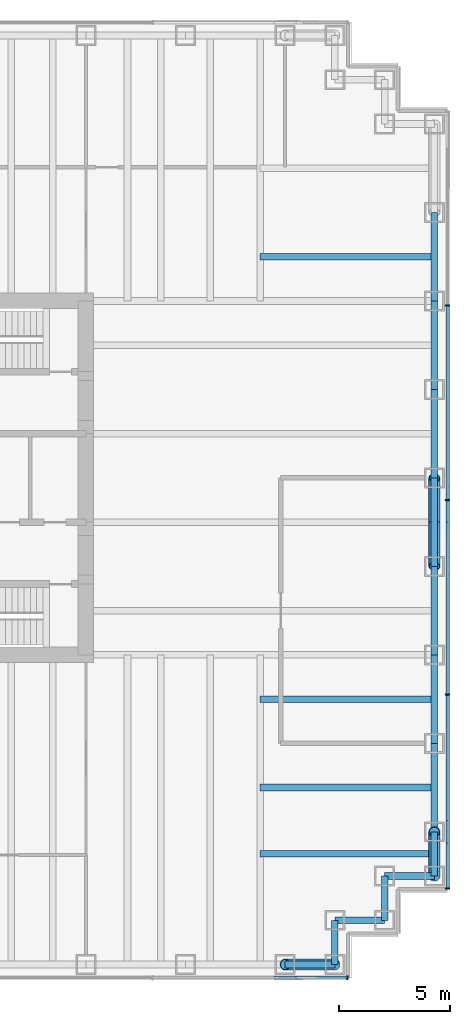
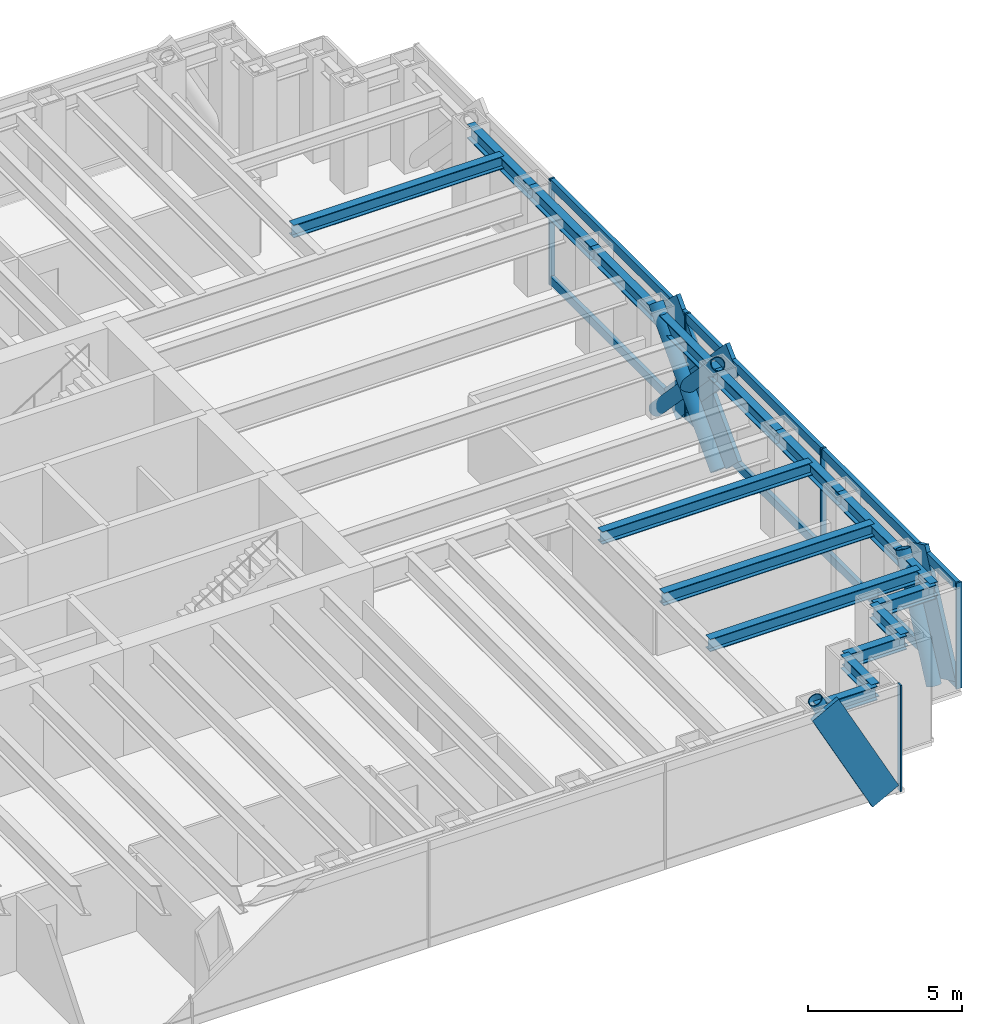
# One storey, part 8 of 15: 19 members, 17 beams, 2 elements without a shape of their own.
"""IFC4 building model written with IfcOpenShell, lengths in metres."""

from ifc_helpers import new_model, si_unit, direction, frame, origin, origin_2d, place, context, subcontext, project, spatial, rectangle, hollow_circle, i_section, extrude, material, material_profile, profile_set, type_object, element, aggregate, save


model = new_model("IFC4")

# Units and contexts
model_context = context("Model", 3, precision=1e-05, world=origin(), true_north=direction((0.0, 1.0)))
body_context = subcontext(model_context, "Body", "Model", "MODEL_VIEW")
ifc_project = project(units=[si_unit("LENGTHUNIT", "METRE"), si_unit("AREAUNIT", "SQUARE_METRE"), si_unit("VOLUMEUNIT", "CUBIC_METRE"), si_unit("PLANEANGLEUNIT", "RADIAN"), si_unit("MASSUNIT", "GRAM", prefix="KILO")], contexts=[model_context])

# Site, building, storey
site_placement = place(None, origin())
site = spatial("IfcSite", under=ifc_project, at=site_placement, CompositionType="ELEMENT")
building_placement = place(site_placement, origin())
building = spatial("IfcBuilding", under=site, at=building_placement, Name="Rheinbord Bourse Tower", CompositionType="ELEMENT")
storey_placement = place(building_placement, frame((0.0, 0.0, 275.300048828125)))
storey = spatial("IfcBuildingStorey", under=building, at=storey_placement, Name="L62", CompositionType="ELEMENT", Elevation=275.300048828125)

# Curtain wall, member
ifc_material_1 = material(Name="Dark glass and black aluminium", Category="aluminium")
curtain_wall_type = type_object("IfcCurtainWallType", Name="CW3 DARK GLASS CURTAIN WALL", PredefinedType="USERDEFINED", material=ifc_material_1)
curtain_wall_1_placement = place(storey_placement, origin())
curtain_wall_1 = element("IfcCurtainWall", 1, at=curtain_wall_1_placement, inside=storey, type_object=curtain_wall_type, Name="Curtain wall CW3 S L62", ObjectType="UNITISED CURTAIN WALL", PredefinedType="USERDEFINED")
ifc_material_2 = material(Name="Black anodised aluminium", Category="aluminium")
ifc_material_profile_1 = material_profile(ifc_material_2, rectangle(XDim=0.14990234375, YDim=1.10791015625, at=origin_2d()), Name="CW3 DIAGONAL MULLION 1108x150")
ifc_profile_set_1 = profile_set([ifc_material_profile_1], Name="Black anodised aluminium")
member_type_1 = type_object("IfcMemberType", Name="CW3 BLACK DIAGONAL MULLION", PredefinedType="USERDEFINED", material=ifc_profile_set_1)
member_1_placement = place(storey_placement, frame((65.25, 1.39990234375, 0.0), z_axis=(-0.472225678258, 0.0, 0.881477684796), x_axis=(0.0, -1.0, 0.0)))
member_1 = element("IfcMember", 2, at=member_1_placement, type_object=member_type_1, Name="CW3 diagonal mullion c", ObjectType="DIAGONAL MULLION", PredefinedType="USERDEFINED", context=body_context, shape_type="SweptSolid", body=[
    extrude(rectangle(XDim=0.14990234375, YDim=1.10791015625, at=origin_2d()), origin(), (0.0, 0.0, 1.0), 4.7646484375),
])

# Curtain wall, members
curtain_wall_2_placement = place(storey_placement, origin())
curtain_wall_2 = element("IfcCurtainWall", 3, at=curtain_wall_2_placement, inside=storey, type_object=curtain_wall_type, Name="Curtain wall CW3 E L62", ObjectType="UNITISED CURTAIN WALL", PredefinedType="USERDEFINED")
member_2_placement = place(storey_placement, frame((70.35009765625, 6.0, 0.0), z_axis=(0.0, 0.429937654825, 0.902858578607), x_axis=(-1.0, 0.0, 0.0)))
member_2 = element("IfcMember", 4, at=member_2_placement, type_object=member_type_1, Name="CW3 diagonal mullion b", ObjectType="DIAGONAL MULLION", PredefinedType="USERDEFINED", context=body_context, shape_type="SweptSolid", body=[
    extrude(rectangle(XDim=0.14990234375, YDim=1.10791015625, at=origin_2d()), origin(), (0.0, 0.0, 1.0), 4.65185546875),
])
member_3_placement = place(storey_placement, frame((70.35009765625, 24.0, 0.0), z_axis=(0.0, -0.689659376744, 0.724133926887), x_axis=(1.0, 0.0, 0.0)))
member_3 = element("IfcMember", 5, at=member_3_placement, type_object=member_type_1, Name="CW3 diagonal mullion c", ObjectType="DIAGONAL MULLION", PredefinedType="USERDEFINED", context=body_context, shape_type="SweptSolid", body=[
    extrude(rectangle(XDim=0.14990234375, YDim=1.10791015625, at=origin_2d()), origin(), (0.0, 0.0, 1.0), 5.800048828125),
])
member_4_placement = place(storey_placement, frame((70.35009765625, 20.0, 0.0), z_axis=(0.0, 0.689659376744, 0.724133926887), x_axis=(-1.0, 0.0, 0.0)))
member_4 = element("IfcMember", 6, at=member_4_placement, type_object=member_type_1, Name="CW3 diagonal mullion d", ObjectType="DIAGONAL MULLION", PredefinedType="USERDEFINED", context=body_context, shape_type="SweptSolid", body=[
    extrude(rectangle(XDim=0.14990234375, YDim=1.10791015625, at=origin_2d()), origin(), (0.0, 0.0, 1.0), 5.800048828125),
])

# Member
ifc_material_3 = material(Name="Black anodised aluminium", Category="aluminium")
ifc_material_profile_2 = material_profile(ifc_material_3, rectangle(XDim=0.199951171875, YDim=0.06494140625, at=origin_2d()), Name="CW3 MULLION 65x200")
ifc_profile_set_2 = profile_set([ifc_material_profile_2], Name="Black anodised aluminium")
member_type_2 = type_object("IfcMemberType", Name="CW3 BLACK MULLION", PredefinedType="MULLION", material=ifc_profile_set_2)
member_5_placement = place(storey_placement, frame((65.8173828125, 1.39990234375, 0.0), z_axis=(0.0, 0.0, 1.0), x_axis=(0.0, 1.0, 0.0)))
member_5 = element("IfcMember", 7, at=member_5_placement, type_object=member_type_2, Name="CW3 mullion 8", PredefinedType="MULLION", context=body_context, shape_type="SweptSolid", body=[
    extrude(rectangle(XDim=0.199951171875, YDim=0.06494140625, at=origin_2d()), origin(), (0.0, 0.0, 1.0), 4.199951171875),
])

aggregate(curtain_wall_1, [member_5, member_1])

member_6_placement = place(storey_placement, frame((70.35009765625, 5.4326171875, 0.0), z_axis=(0.0, 0.0, 1.0), x_axis=(-1.0, 0.0, 0.0)))
member_6 = element("IfcMember", 8, at=member_6_placement, type_object=member_type_2, Name="CW3 mullion 1", PredefinedType="MULLION", context=body_context, shape_type="SweptSolid", body=[
    extrude(rectangle(XDim=0.199951171875, YDim=0.06494140625, at=origin_2d()), origin(), (0.0, 0.0, 1.0), 4.199951171875),
])

member_7_placement = place(storey_placement, frame((70.35009765625, 14.199951171875, 0.0), z_axis=(0.0, 0.0, 1.0), x_axis=(-1.0, 0.0, 0.0)))
member_7 = element("IfcMember", 9, at=member_7_placement, type_object=member_type_2, Name="CW3 mullion 2", PredefinedType="MULLION", context=body_context, shape_type="SweptSolid", body=[
    extrude(rectangle(XDim=0.199951171875, YDim=0.06494140625, at=origin_2d()), origin(), (0.0, 0.0, 1.0), 4.199951171875),
])

member_8_placement = place(storey_placement, frame((70.35009765625, 23.0, 0.0), z_axis=(0.0, 0.0, 1.0), x_axis=(-1.0, 0.0, 0.0)))
member_8 = element("IfcMember", 10, at=member_8_placement, type_object=member_type_2, Name="CW3 mullion 3", PredefinedType="MULLION", context=body_context, shape_type="SweptSolid", body=[
    extrude(rectangle(XDim=0.199951171875, YDim=0.06494140625, at=origin_2d()), origin(), (0.0, 0.0, 1.0), 4.199951171875),
])

member_9_placement = place(storey_placement, frame((70.35009765625, 31.800048828125, 0.0), z_axis=(0.0, 0.0, 1.0), x_axis=(-1.0, 0.0, 0.0)))
member_9 = element("IfcMember", 11, at=member_9_placement, type_object=member_type_2, Name="CW3 mullion 4", PredefinedType="MULLION", context=body_context, shape_type="SweptSolid", body=[
    extrude(rectangle(XDim=0.199951171875, YDim=0.06494140625, at=origin_2d()), origin(), (0.0, 0.0, 1.0), 4.199951171875),
])

ifc_material_4 = material(Name="Black anodised aluminium", Category="aluminium")
ifc_material_profile_3 = material_profile(ifc_material_4, rectangle(XDim=0.14990234375, YDim=0.35009765625, at=origin_2d()), Name="CW3 TRANSOM 350x150")
ifc_profile_set_3 = profile_set([ifc_material_profile_3], Name="Black anodised aluminium")
member_type_3 = type_object("IfcMemberType", Name="CW3 BLACK TRANSOM", PredefinedType="USERDEFINED", material=ifc_profile_set_3)
member_10_placement = place(storey_placement, frame((70.35009765625, 5.465087890625, 0.175048828125), z_axis=(0.0, 1.0, 0.0), x_axis=(-1.0, 0.0, 0.0)))
member_10 = element("IfcMember", 12, at=member_10_placement, type_object=member_type_3, Name="CW3 transom 1.1", ObjectType="TRANSOM", PredefinedType="USERDEFINED", context=body_context, shape_type="SweptSolid", body=[
    extrude(rectangle(XDim=0.14990234375, YDim=0.35009765625, at=origin_2d()), origin(), (0.0, 0.0, 1.0), 8.702392578125),
])

member_11_placement = place(storey_placement, frame((70.35009765625, 5.465087890625, 4.02490234375), z_axis=(0.0, 1.0, 0.0), x_axis=(-1.0, 0.0, 0.0)))
member_11 = element("IfcMember", 13, at=member_11_placement, type_object=member_type_3, Name="CW3 transom 1.2", ObjectType="TRANSOM", PredefinedType="USERDEFINED", context=body_context, shape_type="SweptSolid", body=[
    extrude(rectangle(XDim=0.14990234375, YDim=0.35009765625, at=origin_2d()), origin(), (0.0, 0.0, 1.0), 8.702392578125),
])

member_12_placement = place(storey_placement, frame((70.35009765625, 14.232421875, 0.175048828125), z_axis=(0.0, 1.0, 0.0), x_axis=(-1.0, 0.0, 0.0)))
member_12 = element("IfcMember", 14, at=member_12_placement, type_object=member_type_3, Name="CW3 transom 2.1", ObjectType="TRANSOM", PredefinedType="USERDEFINED", context=body_context, shape_type="SweptSolid", body=[
    extrude(rectangle(XDim=0.14990234375, YDim=0.35009765625, at=origin_2d()), origin(), (0.0, 0.0, 1.0), 8.735107421875),
])

member_13_placement = place(storey_placement, frame((70.35009765625, 14.232421875, 4.02490234375), z_axis=(0.0, 1.0, 0.0), x_axis=(-1.0, 0.0, 0.0)))
member_13 = element("IfcMember", 15, at=member_13_placement, type_object=member_type_3, Name="CW3 transom 2.2", ObjectType="TRANSOM", PredefinedType="USERDEFINED", context=body_context, shape_type="SweptSolid", body=[
    extrude(rectangle(XDim=0.14990234375, YDim=0.35009765625, at=origin_2d()), origin(), (0.0, 0.0, 1.0), 8.735107421875),
])

member_14_placement = place(storey_placement, frame((70.35009765625, 23.032470703125, 0.175048828125), z_axis=(0.0, 1.0, 0.0), x_axis=(-1.0, 0.0, 0.0)))
member_14 = element("IfcMember", 16, at=member_14_placement, type_object=member_type_3, Name="CW3 transom 3.1", ObjectType="TRANSOM", PredefinedType="USERDEFINED", context=body_context, shape_type="SweptSolid", body=[
    extrude(rectangle(XDim=0.14990234375, YDim=0.35009765625, at=origin_2d()), origin(), (0.0, 0.0, 1.0), 8.735107421875),
])

member_15_placement = place(storey_placement, frame((70.35009765625, 23.032470703125, 4.02490234375), z_axis=(0.0, 1.0, 0.0), x_axis=(-1.0, 0.0, 0.0)))
member_15 = element("IfcMember", 17, at=member_15_placement, type_object=member_type_3, Name="CW3 transom 3.2", ObjectType="TRANSOM", PredefinedType="USERDEFINED", context=body_context, shape_type="SweptSolid", body=[
    extrude(rectangle(XDim=0.14990234375, YDim=0.35009765625, at=origin_2d()), origin(), (0.0, 0.0, 1.0), 8.735107421875),
])

aggregate(curtain_wall_2, [member_6, member_7, member_8, member_9, member_10, member_11, member_12, member_13, member_14, member_15, member_2, member_3, member_4])

# Members
ifc_material_5 = material(Name="Steel S460", Category="steel")
ifc_material_profile_4 = material_profile(ifc_material_5, hollow_circle(Radius=0.25390625, WallThickness=0.030029296875, at=origin_2d()), Name="CHS 508x30")
ifc_profile_set_4 = profile_set([ifc_material_profile_4], Name="Steel S460")
member_type_4 = type_object("IfcMemberType", Name="MEGABRACE CHS 508x30", PredefinedType="BRACE", material=ifc_profile_set_4)
member_16_placement = place(storey_placement, frame((65.25, 2.0, 0.0), z_axis=(-0.472225678258, 0.0, 0.881477684796), x_axis=(0.0, -1.0, 0.0)))
element("IfcMember", 18, at=member_16_placement, inside=storey, type_object=member_type_4, Name="Megabrace S face line c L62", PredefinedType="BRACE", context=body_context, shape_type="SweptSolid", body=[
    extrude(hollow_circle(Radius=0.25390625, WallThickness=0.030029296875, at=origin_2d()), origin(), (0.0, 0.0, 1.0), 4.7646484375),
])
member_17_placement = place(storey_placement, frame((69.75, 6.0, 0.0), z_axis=(0.0, 0.429937654825, 0.902858578607), x_axis=(-1.0, 0.0, 0.0)))
element("IfcMember", 19, at=member_17_placement, inside=storey, type_object=member_type_4, Name="Megabrace E face line b L62", PredefinedType="BRACE", context=body_context, shape_type="SweptSolid", body=[
    extrude(hollow_circle(Radius=0.25390625, WallThickness=0.030029296875, at=origin_2d()), origin(), (0.0, 0.0, 1.0), 4.65185546875),
])
for number, where, z_axis, x_axis, name in (
    (20, (69.75, 24.0, 0.0), (0.0, -0.689659376744, 0.724133926887), (1.0, 0.0, 0.0), "Megabrace E face line c L62"),
    (21, (69.75, 20.0, 0.0), (0.0, 0.689659376744, 0.724133926887), (-1.0, 0.0, 0.0), "Megabrace E face line d L62"),
):
    element("IfcMember", number, at=place(storey_placement, frame(where, z_axis=z_axis, x_axis=x_axis)), inside=storey, type_object=member_type_4, Name=name, PredefinedType="BRACE", context=body_context, shape_type="SweptSolid", body=[
        extrude(hollow_circle(Radius=0.25390625, WallThickness=0.030029296875, at=origin_2d()), origin(), (0.0, 0.0, 1.0), 5.800048828125),
    ])

# Beams
ifc_material_6 = material(Name="Steel S460", Category="steel")
ifc_material_profile_5 = material_profile(ifc_material_6, i_section(OverallWidth=0.300048828125, OverallDepth=0.550048828125, WebThickness=0.014892578125, FlangeThickness=0.029052734375, at=origin_2d()), Name="HEB 550")
ifc_profile_set_5 = profile_set([ifc_material_profile_5], Name="Steel S460")
beam_type_1 = type_object("IfcBeamType", Name="SPANDREL HEB 550", PredefinedType="SPANDREL", material=ifc_profile_set_5)
beam_1_placement = place(storey_placement, frame((63.0, 2.0, 3.764892578125), z_axis=(1.0, 0.0, 0.0), x_axis=(0.0, 1.0, 0.0)))
element("IfcBeam", 22, at=beam_1_placement, inside=storey, type_object=beam_type_1, Name="Spandrel S-63-SE-E under L63", PredefinedType="SPANDREL", context=body_context, shape_type="SweptSolid", body=[
    extrude(i_section(OverallWidth=0.300048828125, OverallDepth=0.550048828125, WebThickness=0.014892578125, FlangeThickness=0.029052734375, at=origin_2d()), origin(), (0.0, 0.0, 1.0), 2.25),
])
beam_2_placement = place(storey_placement, frame((65.25, 2.0, 3.764892578125), z_axis=(0.0, 1.0, 0.0), x_axis=(-1.0, 0.0, 0.0)))
element("IfcBeam", 23, at=beam_2_placement, inside=storey, type_object=beam_type_1, Name="Spandrel SE-E-SE-D under L63", PredefinedType="SPANDREL", context=body_context, shape_type="SweptSolid", body=[
    extrude(i_section(OverallWidth=0.300048828125, OverallDepth=0.550048828125, WebThickness=0.014892578125, FlangeThickness=0.029052734375, at=origin_2d()), origin(), (0.0, 0.0, 1.0), 2.0),
])
beam_3_placement = place(storey_placement, frame((65.25, 4.0, 3.764892578125), z_axis=(1.0, 0.0, 0.0), x_axis=(0.0, 1.0, 0.0)))
element("IfcBeam", 24, at=beam_3_placement, inside=storey, type_object=beam_type_1, Name="Spandrel SE-D-SE-C under L63", PredefinedType="SPANDREL", context=body_context, shape_type="SweptSolid", body=[
    extrude(i_section(OverallWidth=0.300048828125, OverallDepth=0.550048828125, WebThickness=0.014892578125, FlangeThickness=0.029052734375, at=origin_2d()), origin(), (0.0, 0.0, 1.0), 2.25),
])
beam_4_placement = place(storey_placement, frame((67.5, 4.0, 3.764892578125), z_axis=(0.0, 1.0, 0.0), x_axis=(-1.0, 0.0, 0.0)))
element("IfcBeam", 25, at=beam_4_placement, inside=storey, type_object=beam_type_1, Name="Spandrel SE-C-SE-B under L63", PredefinedType="SPANDREL", context=body_context, shape_type="SweptSolid", body=[
    extrude(i_section(OverallWidth=0.300048828125, OverallDepth=0.550048828125, WebThickness=0.014892578125, FlangeThickness=0.029052734375, at=origin_2d()), origin(), (0.0, 0.0, 1.0), 2.0),
])
beam_5_placement = place(storey_placement, frame((67.5, 6.0, 3.764892578125), z_axis=(1.0, 0.0, 0.0), x_axis=(0.0, 1.0, 0.0)))
element("IfcBeam", 26, at=beam_5_placement, inside=storey, type_object=beam_type_1, Name="Spandrel SE-B-SE-A under L63", PredefinedType="SPANDREL", context=body_context, shape_type="SweptSolid", body=[
    extrude(i_section(OverallWidth=0.300048828125, OverallDepth=0.550048828125, WebThickness=0.014892578125, FlangeThickness=0.029052734375, at=origin_2d()), origin(), (0.0, 0.0, 1.0), 2.25),
])
beam_6_placement = place(storey_placement, frame((69.75, 6.0, 3.764892578125), z_axis=(0.0, 1.0, 0.0), x_axis=(-1.0, 0.0, 0.0)))
element("IfcBeam", 27, at=beam_6_placement, inside=storey, type_object=beam_type_1, Name="Spandrel SE-A-E-8 under L63", PredefinedType="SPANDREL", context=body_context, shape_type="SweptSolid", body=[
    extrude(i_section(OverallWidth=0.300048828125, OverallDepth=0.550048828125, WebThickness=0.014892578125, FlangeThickness=0.029052734375, at=origin_2d()), origin(), (0.0, 0.0, 1.0), 2.0),
])
for number, where, z_axis, x_axis, name in (
    (28, (69.75, 8.0, 3.764892578125), (0.0, 1.0, 0.0), (-1.0, 0.0, 0.0), "Spandrel E-8-E-12 under L63"),
    (29, (69.75, 12.0, 3.764892578125), (0.0, 1.0, 0.0), (-1.0, 0.0, 0.0), "Spandrel E-12-E-16 under L63"),
    (30, (69.75, 16.0, 3.764892578125), (0.0, 1.0, 0.0), (-1.0, 0.0, 0.0), "Spandrel E-16-E-20 under L63"),
    (31, (69.75, 20.0, 3.764892578125), (0.0, 1.0, 0.0), (-1.0, 0.0, 0.0), "Spandrel E-20-E-24 under L63"),
    (32, (69.75, 24.0, 3.764892578125), (0.0, 1.0, 0.0), (-1.0, 0.0, 0.0), "Spandrel E-24-E-28 under L63"),
    (33, (69.75, 28.0, 3.764892578125), (0.0, 1.0, 0.0), (-1.0, 0.0, 0.0), "Spandrel E-28-E-32 under L63"),
    (34, (69.75, 32.0, 3.764892578125), (0.0, 1.0, 0.0), (-1.0, 0.0, 0.0), "Spandrel E-32-E-36 under L63"),
):
    element("IfcBeam", number, at=place(storey_placement, frame(where, z_axis=z_axis, x_axis=x_axis)), inside=storey, type_object=beam_type_1, Name=name, PredefinedType="SPANDREL", context=body_context, shape_type="SweptSolid", body=[
        extrude(i_section(OverallWidth=0.300048828125, OverallDepth=0.550048828125, WebThickness=0.014892578125, FlangeThickness=0.029052734375, at=origin_2d()), origin(), (0.0, 0.0, 1.0), 4.0),
    ])
ifc_material_7 = material(Name="Steel S460", Category="steel")
ifc_material_profile_6 = material_profile(ifc_material_7, i_section(OverallWidth=0.300048828125, OverallDepth=0.5, WebThickness=0.014404296875, FlangeThickness=0.028076171875, at=origin_2d()), Name="HEB 500")
ifc_profile_set_6 = profile_set([ifc_material_profile_6], Name="Steel S460")
beam_type_2 = type_object("IfcBeamType", Name="TIE BEAM HEB 500", PredefinedType="JOIST", material=ifc_profile_set_6)
for number, where, z_axis, x_axis, name in (
    (35, (61.875, 7.0, 3.7900390625), (1.0, 0.0, 0.0), (0.0, 1.0, 0.0), "Tie east 7 L63"),
    (36, (61.875, 10.0, 3.7900390625), (1.0, 0.0, 0.0), (0.0, 1.0, 0.0), "Tie east 10 L63"),
    (37, (61.875, 14.0, 3.7900390625), (1.0, 0.0, 0.0), (0.0, 1.0, 0.0), "Tie east 14 L63"),
    (38, (61.875, 34.0, 3.7900390625), (1.0, 0.0, 0.0), (0.0, 1.0, 0.0), "Tie east 34 L63"),
):
    element("IfcBeam", number, at=place(storey_placement, frame(where, z_axis=z_axis, x_axis=x_axis)), inside=storey, type_object=beam_type_2, Name=name, PredefinedType="JOIST", context=body_context, shape_type="SweptSolid", body=[
        extrude(i_section(OverallWidth=0.300048828125, OverallDepth=0.5, WebThickness=0.014404296875, FlangeThickness=0.028076171875, at=origin_2d()), origin(), (0.0, 0.0, 1.0), 7.875),
    ])

save(model, "model.ifc")
